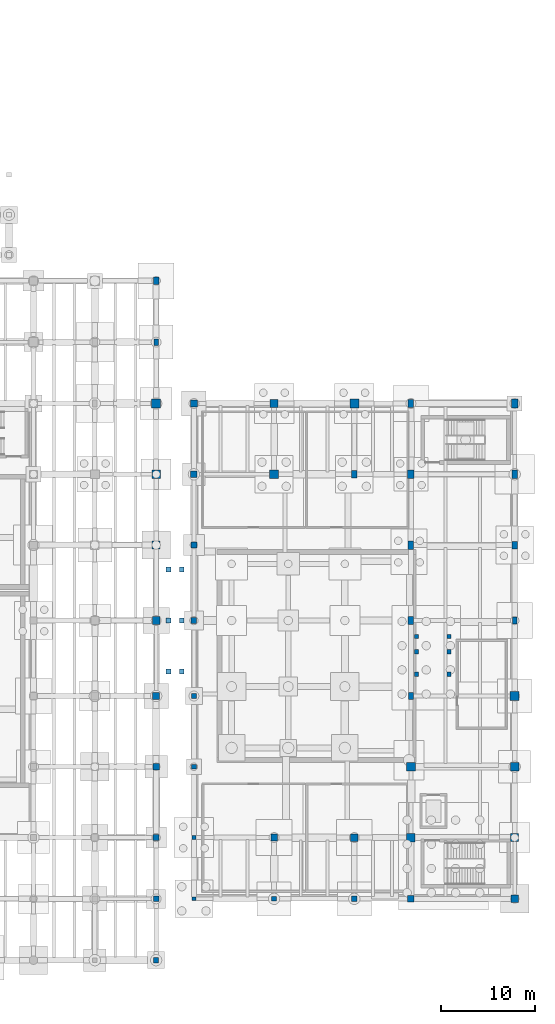
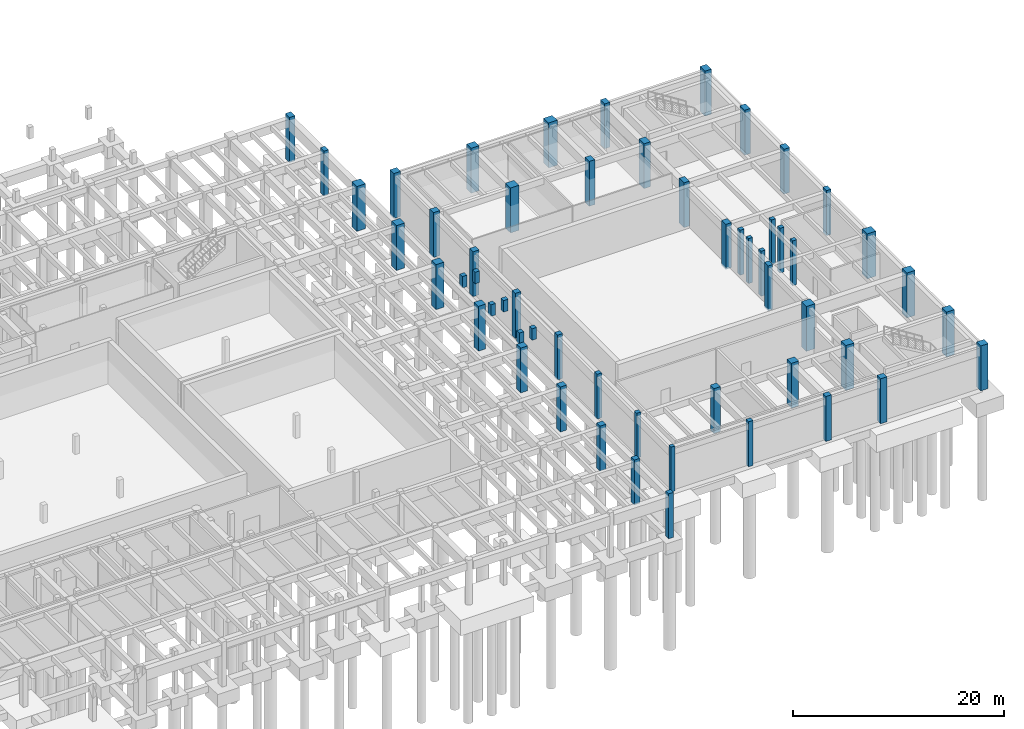
# One storey, part 19 of 36: 55 columns.
"""IFC4 building model written with IfcOpenShell, lengths in metres."""

from ifc_helpers import new_model, si_unit, direction, frame, origin, origin_2d, place, context, subcontext, project, spatial, rectangle, extrude, material, material_profile, profile_set, type_object, element, save


model = new_model("IFC4")

# Units and contexts
model_context = context("Model", 3, precision=1e-05, world=origin(), true_north=direction((0.0, 1.0)))
body_context = subcontext(model_context, "Body", "Model", "MODEL_VIEW")
ifc_project = project(units=[si_unit("LENGTHUNIT", "METRE"), si_unit("AREAUNIT", "SQUARE_METRE"), si_unit("VOLUMEUNIT", "CUBIC_METRE"), si_unit("PLANEANGLEUNIT", "RADIAN"), si_unit("MASSUNIT", "GRAM", prefix="KILO"), si_unit("THERMODYNAMICTEMPERATUREUNIT", "KELVIN"), si_unit("POWERUNIT", "WATT")], contexts=[model_context])

# Site, building, storey
site_placement = place(None, origin())
site = spatial("IfcSite", under=ifc_project, at=site_placement, CompositionType="ELEMENT")
building_placement = place(site_placement, origin())
building = spatial("IfcBuilding", under=site, at=building_placement, Name="Tepalcoro Natatorium and Aquatics Centre", CompositionType="ELEMENT")
storey_placement = place(building_placement, frame((0.0, 0.0, -5.199951171875)))
storey = spatial("IfcBuildingStorey", under=building, at=storey_placement, Name="B1", CompositionType="ELEMENT", Elevation=-5.199951171875)

# Columns
ifc_material = material(Name="Concrete C40/50 (fc 40 MPa)", Category="concrete")
ifc_material_profile_1 = material_profile(ifc_material, rectangle(XDim=0.39990234375, YDim=0.39990234375, at=origin_2d()), Name="RC400x400")
ifc_profile_set_1 = profile_set([ifc_material_profile_1], Name="Concrete C40/50 (fc 40 MPa)")
column_type_1 = type_object("IfcColumnType", Name="COL_RC_400x400", PredefinedType="COLUMN", material=ifc_profile_set_1)
column_placement = place(storey_placement, frame((142.0, 6.5, 0.0), z_axis=(0.0, 0.0, 1.0), x_axis=(1.0, 0.0, 0.0)))
element("IfcColumn", 1, at=column_placement, inside=storey, type_object=column_type_1, Name="V2 B1 Grid Column (142.0, 6.5)", PredefinedType="COLUMN", context=body_context, shape_type="SweptSolid", body=[
    extrude(rectangle(XDim=0.39990234375, YDim=0.39990234375, at=origin_2d()), origin(), (0.0, 0.0, 1.0), 5.199951171875),
])
ifc_material_profile_2 = material_profile(ifc_material, rectangle(XDim=0.449951171875, YDim=0.449951171875, at=origin_2d()), Name="RC450x450")
ifc_profile_set_2 = profile_set([ifc_material_profile_2], Name="Concrete C40/50 (fc 40 MPa)")
column_type_2 = type_object("IfcColumnType", Name="COL_RC_450x450", PredefinedType="COLUMN", material=ifc_profile_set_2)
for number, where, z_axis, x_axis, name in (
    (2, (165.60009765625, 30.300048828125, 0.0), (0.0, 0.0, 1.0), (1.0, 0.0, 0.0), "Diving Tower Platform Column B1"),
    (3, (165.60009765625, 32.699951171875, 0.0), (0.0, 0.0, 1.0), (1.0, 0.0, 0.0), "Diving Tower Platform Column B1"),
    (4, (165.60009765625, 34.300048828125, 0.0), (0.0, 0.0, 1.0), (1.0, 0.0, 0.0), "Diving Tower Platform Column B1"),
    (5, (169.050048828125, 30.300048828125, 0.0), (0.0, 0.0, 1.0), (1.0, 0.0, 0.0), "Diving Tower Platform Column B1"),
    (6, (169.050048828125, 32.699951171875, 0.0), (0.0, 0.0, 1.0), (1.0, 0.0, 0.0), "Diving Tower Platform Column B1"),
    (7, (169.050048828125, 34.300048828125, 0.0), (0.0, 0.0, 1.0), (1.0, 0.0, 0.0), "Diving Tower Platform Column B1"),
    (8, (142.0, 13.0, 0.0), (0.0, 0.0, 1.0), (1.0, 0.0, 0.0), "V2 B1 Grid Column (142.0, 13.0)"),
):
    element("IfcColumn", number, at=place(storey_placement, frame(where, z_axis=z_axis, x_axis=x_axis)), inside=storey, type_object=column_type_2, Name=name, PredefinedType="COLUMN", context=body_context, shape_type="SweptSolid", body=[
        extrude(rectangle(XDim=0.449951171875, YDim=0.449951171875, at=origin_2d()), origin(), (0.0, 0.0, 1.0), 5.199951171875),
    ])
ifc_material_profile_3 = material_profile(ifc_material, rectangle(XDim=0.5, YDim=0.5, at=origin_2d()), Name="RC500x500")
ifc_profile_set_3 = profile_set([ifc_material_profile_3], Name="Concrete C40/50 (fc 40 MPa)")
column_type_3 = type_object("IfcColumnType", Name="COL_RC_500x500", PredefinedType="COLUMN", material=ifc_profile_set_3)
for number, where, z_axis, x_axis, name in (
    (9, (142.0, 20.5, 0.0), (0.0, 0.0, 1.0), (1.0, 0.0, 0.0), "V2 B1 Grid Column (142.0, 20.5)"),
    (10, (150.5, 6.5, 0.0), (0.0, 0.0, 1.0), (1.0, 0.0, 0.0), "V2 B1 Grid Column (150.5, 6.5)"),
):
    element("IfcColumn", number, at=place(storey_placement, frame(where, z_axis=z_axis, x_axis=x_axis)), inside=storey, type_object=column_type_3, Name=name, PredefinedType="COLUMN", context=body_context, shape_type="SweptSolid", body=[
        extrude(rectangle(XDim=0.5, YDim=0.5, at=origin_2d()), origin(), (0.0, 0.0, 1.0), 5.199951171875),
    ])
for number, where, z_axis, x_axis, name in (
    (11, (139.300048828125, 30.60009765625, 3.449951171875), (0.0, 0.0, 1.0), (1.0, 0.0, 0.0), "East Diving Seismic Link Foundation Pedestal Pier"),
    (12, (139.300048828125, 36.0, 3.449951171875), (0.0, 0.0, 1.0), (1.0, 0.0, 0.0), "East Diving Seismic Link Foundation Pedestal Pier"),
    (13, (139.300048828125, 41.39990234375, 3.449951171875), (0.0, 0.0, 1.0), (1.0, 0.0, 0.0), "East Diving Seismic Link Foundation Pedestal Pier"),
    (14, (140.699951171875, 30.60009765625, 3.449951171875), (0.0, 0.0, 1.0), (1.0, 0.0, 0.0), "East Diving Seismic Link Foundation Pedestal Pier"),
    (15, (140.699951171875, 36.0, 3.449951171875), (0.0, 0.0, 1.0), (1.0, 0.0, 0.0), "East Diving Seismic Link Foundation Pedestal Pier"),
    (16, (140.699951171875, 41.39990234375, 3.449951171875), (0.0, 0.0, 1.0), (1.0, 0.0, 0.0), "East Diving Seismic Link Foundation Pedestal Pier"),
):
    element("IfcColumn", number, at=place(storey_placement, frame(where, z_axis=z_axis, x_axis=x_axis)), inside=storey, type_object=column_type_3, Name=name, PredefinedType="COLUMN", context=body_context, shape_type="SweptSolid", body=[
        extrude(rectangle(XDim=0.5, YDim=0.5, at=origin_2d()), origin(), (0.0, 0.0, 1.0), 1.330078125),
    ])
ifc_material_profile_4 = material_profile(ifc_material, rectangle(XDim=0.5, YDim=0.699951171875, at=origin_2d()), Name="RC500x700")
ifc_profile_set_4 = profile_set([ifc_material_profile_4], Name="Concrete C40/50 (fc 40 MPa)")
column_type_4 = type_object("IfcColumnType", Name="COL_RC_500x700", PredefinedType="COLUMN", material=ifc_profile_set_4)
for number, where, z_axis, x_axis, name in (
    (17, (138.0, 65.5, 0.0), (0.0, 0.0, 1.0), (1.0, 0.0, 0.0), "V1 B1 Grid Column (138.0, 65.5)"),
    (18, (165.0, 28.0, 0.0), (0.0, 0.0, 1.0), (1.0, 0.0, 0.0), "V2 B1 Grid Column (165.0, 28.0)"),
    (19, (176.0, 36.0, 0.0), (0.0, 0.0, 1.0), (1.0, 0.0, 0.0), "V2 B1 Grid Column (176.0, 36.0)"),
):
    element("IfcColumn", number, at=place(storey_placement, frame(where, z_axis=z_axis, x_axis=x_axis)), inside=storey, type_object=column_type_4, Name=name, PredefinedType="COLUMN", context=body_context, shape_type="SweptSolid", body=[
        extrude(rectangle(XDim=0.5, YDim=0.699951171875, at=origin_2d()), origin(), (0.0, 0.0, 1.0), 5.199951171875),
    ])
ifc_material_profile_5 = material_profile(ifc_material, rectangle(XDim=0.550048828125, YDim=0.550048828125, at=origin_2d()), Name="RC550x550")
ifc_profile_set_5 = profile_set([ifc_material_profile_5], Name="Concrete C40/50 (fc 40 MPa)")
column_type_5 = type_object("IfcColumnType", Name="COL_RC_550x550", PredefinedType="COLUMN", material=ifc_profile_set_5)
for number, where, z_axis, x_axis, name in (
    (20, (138.0, 0.0, 0.0), (0.0, 0.0, 1.0), (1.0, 0.0, 0.0), "V1 B1 Grid Column (138.0, 0.0)"),
    (21, (142.0, 28.0, 0.0), (0.0, 0.0, 1.0), (1.0, 0.0, 0.0), "V2 B1 Grid Column (142.0, 28.0)"),
):
    element("IfcColumn", number, at=place(storey_placement, frame(where, z_axis=z_axis, x_axis=x_axis)), inside=storey, type_object=column_type_5, Name=name, PredefinedType="COLUMN", context=body_context, shape_type="SweptSolid", body=[
        extrude(rectangle(XDim=0.550048828125, YDim=0.550048828125, at=origin_2d()), origin(), (0.0, 0.0, 1.0), 5.199951171875),
    ])
ifc_material_profile_6 = material_profile(ifc_material, rectangle(XDim=0.60009765625, YDim=0.60009765625, at=origin_2d()), Name="RC600x600")
ifc_profile_set_6 = profile_set([ifc_material_profile_6], Name="Concrete C40/50 (fc 40 MPa)")
column_type_6 = type_object("IfcColumnType", Name="COL_RC_600x600", PredefinedType="COLUMN", material=ifc_profile_set_6)
for number, where, z_axis, x_axis, name in (
    (22, (138.0, 6.5, 0.0), (0.0, 0.0, 1.0), (1.0, 0.0, 0.0), "V1 B1 Grid Column (138.0, 6.5)"),
    (23, (142.0, 36.0, 0.0), (0.0, 0.0, 1.0), (1.0, 0.0, 0.0), "V2 B1 Grid Column (142.0, 36.0)"),
    (24, (159.0, 6.5, 0.0), (0.0, 0.0, 1.0), (1.0, 0.0, 0.0), "V2 B1 Grid Column (159.0, 6.5)"),
):
    element("IfcColumn", number, at=place(storey_placement, frame(where, z_axis=z_axis, x_axis=x_axis)), inside=storey, type_object=column_type_6, Name=name, PredefinedType="COLUMN", context=body_context, shape_type="SweptSolid", body=[
        extrude(rectangle(XDim=0.60009765625, YDim=0.60009765625, at=origin_2d()), origin(), (0.0, 0.0, 1.0), 5.199951171875),
    ])
ifc_material_profile_7 = material_profile(ifc_material, rectangle(XDim=0.60009765625, YDim=0.800048828125, at=origin_2d()), Name="RC600x800")
ifc_profile_set_7 = profile_set([ifc_material_profile_7], Name="Concrete C40/50 (fc 40 MPa)")
column_type_7 = type_object("IfcColumnType", Name="COL_RC_600x800", PredefinedType="COLUMN", material=ifc_profile_set_7)
for number, where, z_axis, x_axis, name in (
    (25, (138.0, 72.0, 0.0), (0.0, 0.0, 1.0), (1.0, 0.0, 0.0), "V1 B1 Grid Column (138.0, 72.0)"),
    (26, (159.0, 51.5, 0.0), (0.0, 0.0, 1.0), (1.0, 0.0, 0.0), "V2 B1 Grid Column (159.0, 51.5)"),
    (27, (165.0, 36.0, 0.0), (0.0, 0.0, 1.0), (1.0, 0.0, 0.0), "V2 B1 Grid Column (165.0, 36.0)"),
    (28, (165.0, 59.0, 0.0), (0.0, 0.0, 1.0), (1.0, 0.0, 0.0), "V2 B1 Grid Column (165.0, 59.0)"),
    (29, (176.0, 44.0, 0.0), (0.0, 0.0, 1.0), (1.0, 0.0, 0.0), "V2 B1 Grid Column (176.0, 44.0)"),
):
    element("IfcColumn", number, at=place(storey_placement, frame(where, z_axis=z_axis, x_axis=x_axis)), inside=storey, type_object=column_type_7, Name=name, PredefinedType="COLUMN", context=body_context, shape_type="SweptSolid", body=[
        extrude(rectangle(XDim=0.60009765625, YDim=0.800048828125, at=origin_2d()), origin(), (0.0, 0.0, 1.0), 5.199951171875),
    ])
ifc_material_profile_8 = material_profile(ifc_material, rectangle(XDim=0.60009765625, YDim=0.89990234375, at=origin_2d()), Name="RC600x900")
ifc_profile_set_8 = profile_set([ifc_material_profile_8], Name="Concrete C40/50 (fc 40 MPa)")
column_type_8 = type_object("IfcColumnType", Name="COL_RC_600x900", PredefinedType="COLUMN", material=ifc_profile_set_8)
for number, where, z_axis, x_axis, name in (
    (30, (165.0, 44.0, 0.0), (0.0, 0.0, 1.0), (1.0, 0.0, 0.0), "V2 B1 Grid Column (165.0, 44.0)"),
    (31, (176.0, 51.5, 0.0), (0.0, 0.0, 1.0), (1.0, 0.0, 0.0), "V2 B1 Grid Column (176.0, 51.5)"),
):
    element("IfcColumn", number, at=place(storey_placement, frame(where, z_axis=z_axis, x_axis=x_axis)), inside=storey, type_object=column_type_8, Name=name, PredefinedType="COLUMN", context=body_context, shape_type="SweptSolid", body=[
        extrude(rectangle(XDim=0.60009765625, YDim=0.89990234375, at=origin_2d()), origin(), (0.0, 0.0, 1.0), 5.199951171875),
    ])
ifc_material_profile_9 = material_profile(ifc_material, rectangle(XDim=0.64990234375, YDim=0.64990234375, at=origin_2d()), Name="RC650x650")
ifc_profile_set_9 = profile_set([ifc_material_profile_9], Name="Concrete C40/50 (fc 40 MPa)")
column_type_9 = type_object("IfcColumnType", Name="COL_RC_650x650", PredefinedType="COLUMN", material=ifc_profile_set_9)
for number, where, z_axis, x_axis, name in (
    (32, (138.0, 13.0, 0.0), (0.0, 0.0, 1.0), (1.0, 0.0, 0.0), "V1 B1 Grid Column (138.0, 13.0)"),
    (33, (142.0, 44.0, 0.0), (0.0, 0.0, 1.0), (1.0, 0.0, 0.0), "V2 B1 Grid Column (142.0, 44.0)"),
):
    element("IfcColumn", number, at=place(storey_placement, frame(where, z_axis=z_axis, x_axis=x_axis)), inside=storey, type_object=column_type_9, Name=name, PredefinedType="COLUMN", context=body_context, shape_type="SweptSolid", body=[
        extrude(rectangle(XDim=0.64990234375, YDim=0.64990234375, at=origin_2d()), origin(), (0.0, 0.0, 1.0), 5.199951171875),
    ])
ifc_material_profile_10 = material_profile(ifc_material, rectangle(XDim=0.699951171875, YDim=0.699951171875, at=origin_2d()), Name="RC700x700")
ifc_profile_set_10 = profile_set([ifc_material_profile_10], Name="Concrete C40/50 (fc 40 MPa)")
column_type_10 = type_object("IfcColumnType", Name="COL_RC_700x700", PredefinedType="COLUMN", material=ifc_profile_set_10)
for number, where, z_axis, x_axis, name in (
    (34, (138.0, 20.5, 0.0), (0.0, 0.0, 1.0), (1.0, 0.0, 0.0), "V1 B1 Grid Column (138.0, 20.5)"),
    (35, (142.0, 51.5, 0.0), (0.0, 0.0, 1.0), (1.0, 0.0, 0.0), "V2 B1 Grid Column (142.0, 51.5)"),
    (36, (150.5, 13.0, 0.0), (0.0, 0.0, 1.0), (1.0, 0.0, 0.0), "V2 B1 Grid Column (150.5, 13.0)"),
    (37, (165.0, 6.5, 0.0), (0.0, 0.0, 1.0), (1.0, 0.0, 0.0), "V2 B1 Grid Column (165.0, 6.5)"),
):
    element("IfcColumn", number, at=place(storey_placement, frame(where, z_axis=z_axis, x_axis=x_axis)), inside=storey, type_object=column_type_10, Name=name, PredefinedType="COLUMN", context=body_context, shape_type="SweptSolid", body=[
        extrude(rectangle(XDim=0.699951171875, YDim=0.699951171875, at=origin_2d()), origin(), (0.0, 0.0, 1.0), 5.199951171875),
    ])
ifc_material_profile_11 = material_profile(ifc_material, rectangle(XDim=0.699951171875, YDim=0.949951171875, at=origin_2d()), Name="RC700x950")
ifc_profile_set_11 = profile_set([ifc_material_profile_11], Name="Concrete C40/50 (fc 40 MPa)")
column_type_11 = type_object("IfcColumnType", Name="COL_RC_700x950", PredefinedType="COLUMN", material=ifc_profile_set_11)
for number, where, z_axis, x_axis, name in (
    (38, (165.0, 51.5, 0.0), (0.0, 0.0, 1.0), (1.0, 0.0, 0.0), "V2 B1 Grid Column (165.0, 51.5)"),
    (39, (176.0, 59.0, 0.0), (0.0, 0.0, 1.0), (1.0, 0.0, 0.0), "V2 B1 Grid Column (176.0, 59.0)"),
):
    element("IfcColumn", number, at=place(storey_placement, frame(where, z_axis=z_axis, x_axis=x_axis)), inside=storey, type_object=column_type_11, Name=name, PredefinedType="COLUMN", context=body_context, shape_type="SweptSolid", body=[
        extrude(rectangle(XDim=0.699951171875, YDim=0.949951171875, at=origin_2d()), origin(), (0.0, 0.0, 1.0), 5.199951171875),
    ])
ifc_material_profile_12 = material_profile(ifc_material, rectangle(XDim=0.75, YDim=0.75, at=origin_2d()), Name="RC750x750")
ifc_profile_set_12 = profile_set([ifc_material_profile_12], Name="Concrete C40/50 (fc 40 MPa)")
column_type_12 = type_object("IfcColumnType", Name="COL_RC_750x750", PredefinedType="COLUMN", material=ifc_profile_set_12)
for number, where, z_axis, x_axis, name in (
    (40, (138.0, 28.0, 0.0), (0.0, 0.0, 1.0), (1.0, 0.0, 0.0), "V1 B1 Grid Column (138.0, 28.0)"),
    (41, (142.0, 59.0, 0.0), (0.0, 0.0, 1.0), (1.0, 0.0, 0.0), "V2 B1 Grid Column (142.0, 59.0)"),
):
    element("IfcColumn", number, at=place(storey_placement, frame(where, z_axis=z_axis, x_axis=x_axis)), inside=storey, type_object=column_type_12, Name=name, PredefinedType="COLUMN", context=body_context, shape_type="SweptSolid", body=[
        extrude(rectangle(XDim=0.75, YDim=0.75, at=origin_2d()), origin(), (0.0, 0.0, 1.0), 5.199951171875),
    ])
ifc_material_profile_13 = material_profile(ifc_material, rectangle(XDim=0.800048828125, YDim=0.800048828125, at=origin_2d()), Name="RC800x800")
ifc_profile_set_13 = profile_set([ifc_material_profile_13], Name="Concrete C40/50 (fc 40 MPa)")
column_type_13 = type_object("IfcColumnType", Name="COL_RC_800x800", PredefinedType="COLUMN", material=ifc_profile_set_13)
for number, where, z_axis, x_axis, name in (
    (42, (138.0, 36.0, 0.0), (0.0, 0.0, 1.0), (1.0, 0.0, 0.0), "V1 B1 Grid Column (138.0, 36.0)"),
    (43, (159.0, 13.0, 0.0), (0.0, 0.0, 1.0), (1.0, 0.0, 0.0), "V2 B1 Grid Column (159.0, 13.0)"),
    (44, (176.0, 6.5, 0.0), (0.0, 0.0, 1.0), (1.0, 0.0, 0.0), "V2 B1 Grid Column (176.0, 6.5)"),
):
    element("IfcColumn", number, at=place(storey_placement, frame(where, z_axis=z_axis, x_axis=x_axis)), inside=storey, type_object=column_type_13, Name=name, PredefinedType="COLUMN", context=body_context, shape_type="SweptSolid", body=[
        extrude(rectangle(XDim=0.800048828125, YDim=0.800048828125, at=origin_2d()), origin(), (0.0, 0.0, 1.0), 5.199951171875),
    ])
ifc_material_profile_14 = material_profile(ifc_material, rectangle(XDim=0.85009765625, YDim=0.85009765625, at=origin_2d()), Name="RC850x850")
ifc_profile_set_14 = profile_set([ifc_material_profile_14], Name="Concrete C40/50 (fc 40 MPa)")
column_type_14 = type_object("IfcColumnType", Name="COL_RC_850x850", PredefinedType="COLUMN", material=ifc_profile_set_14)
for number, where, z_axis, x_axis, name in (
    (45, (138.0, 44.0, 0.0), (0.0, 0.0, 1.0), (1.0, 0.0, 0.0), "V1 B1 Grid Column (138.0, 44.0)"),
    (46, (150.5, 59.0, 0.0), (0.0, 0.0, 1.0), (1.0, 0.0, 0.0), "V2 B1 Grid Column (150.5, 59.0)"),
    (47, (176.0, 13.0, 0.0), (0.0, 0.0, 1.0), (1.0, 0.0, 0.0), "V2 B1 Grid Column (176.0, 13.0)"),
):
    element("IfcColumn", number, at=place(storey_placement, frame(where, z_axis=z_axis, x_axis=x_axis)), inside=storey, type_object=column_type_14, Name=name, PredefinedType="COLUMN", context=body_context, shape_type="SweptSolid", body=[
        extrude(rectangle(XDim=0.85009765625, YDim=0.85009765625, at=origin_2d()), origin(), (0.0, 0.0, 1.0), 5.199951171875),
    ])
ifc_material_profile_15 = material_profile(ifc_material, rectangle(XDim=0.89990234375, YDim=0.89990234375, at=origin_2d()), Name="RC900x900")
ifc_profile_set_15 = profile_set([ifc_material_profile_15], Name="Concrete C40/50 (fc 40 MPa)")
column_type_15 = type_object("IfcColumnType", Name="COL_RC_900x900", PredefinedType="COLUMN", material=ifc_profile_set_15)
for number, where, z_axis, x_axis, name in (
    (48, (138.0, 51.5, 0.0), (0.0, 0.0, 1.0), (1.0, 0.0, 0.0), "V1 B1 Grid Column (138.0, 51.5)"),
    (49, (165.0, 13.0, 0.0), (0.0, 0.0, 1.0), (1.0, 0.0, 0.0), "V2 B1 Grid Column (165.0, 13.0)"),
    (50, (176.0, 20.5, 0.0), (0.0, 0.0, 1.0), (1.0, 0.0, 0.0), "V2 B1 Grid Column (176.0, 20.5)"),
):
    element("IfcColumn", number, at=place(storey_placement, frame(where, z_axis=z_axis, x_axis=x_axis)), inside=storey, type_object=column_type_15, Name=name, PredefinedType="COLUMN", context=body_context, shape_type="SweptSolid", body=[
        extrude(rectangle(XDim=0.89990234375, YDim=0.89990234375, at=origin_2d()), origin(), (0.0, 0.0, 1.0), 5.199951171875),
    ])
ifc_material_profile_16 = material_profile(ifc_material, rectangle(XDim=0.949951171875, YDim=0.949951171875, at=origin_2d()), Name="RC950x950")
ifc_profile_set_16 = profile_set([ifc_material_profile_16], Name="Concrete C40/50 (fc 40 MPa)")
column_type_16 = type_object("IfcColumnType", Name="COL_RC_950x950", PredefinedType="COLUMN", material=ifc_profile_set_16)
for number, where, z_axis, x_axis, name in (
    (51, (138.0, 59.0, 0.0), (0.0, 0.0, 1.0), (1.0, 0.0, 0.0), "V1 B1 Grid Column (138.0, 59.0)"),
    (52, (150.5, 51.5, 0.0), (0.0, 0.0, 1.0), (1.0, 0.0, 0.0), "V2 B1 Grid Column (150.5, 51.5)"),
    (53, (159.0, 59.0, 0.0), (0.0, 0.0, 1.0), (1.0, 0.0, 0.0), "V2 B1 Grid Column (159.0, 59.0)"),
    (54, (165.0, 20.5, 0.0), (0.0, 0.0, 1.0), (1.0, 0.0, 0.0), "V2 B1 Grid Column (165.0, 20.5)"),
    (55, (176.0, 28.0, 0.0), (0.0, 0.0, 1.0), (1.0, 0.0, 0.0), "V2 B1 Grid Column (176.0, 28.0)"),
):
    element("IfcColumn", number, at=place(storey_placement, frame(where, z_axis=z_axis, x_axis=x_axis)), inside=storey, type_object=column_type_16, Name=name, PredefinedType="COLUMN", context=body_context, shape_type="SweptSolid", body=[
        extrude(rectangle(XDim=0.949951171875, YDim=0.949951171875, at=origin_2d()), origin(), (0.0, 0.0, 1.0), 5.199951171875),
    ])

save(model, "model.ifc")
